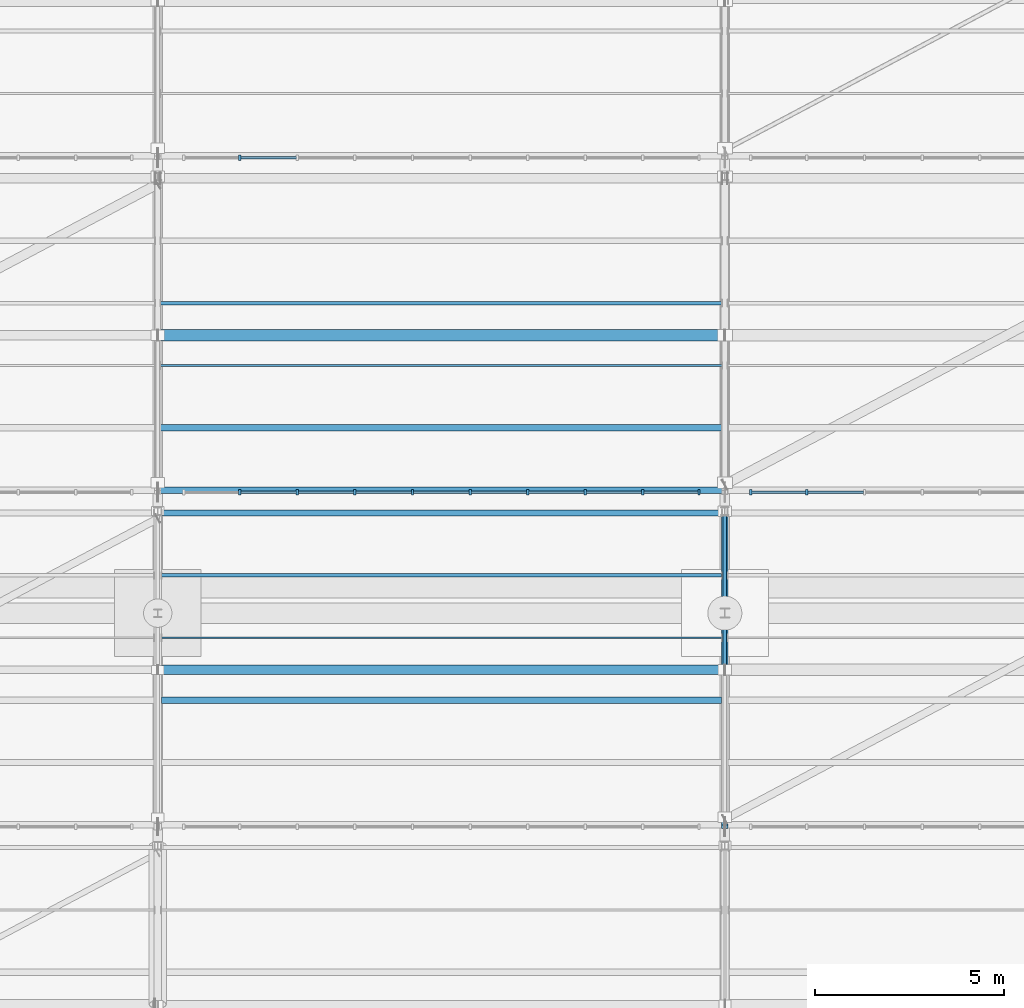
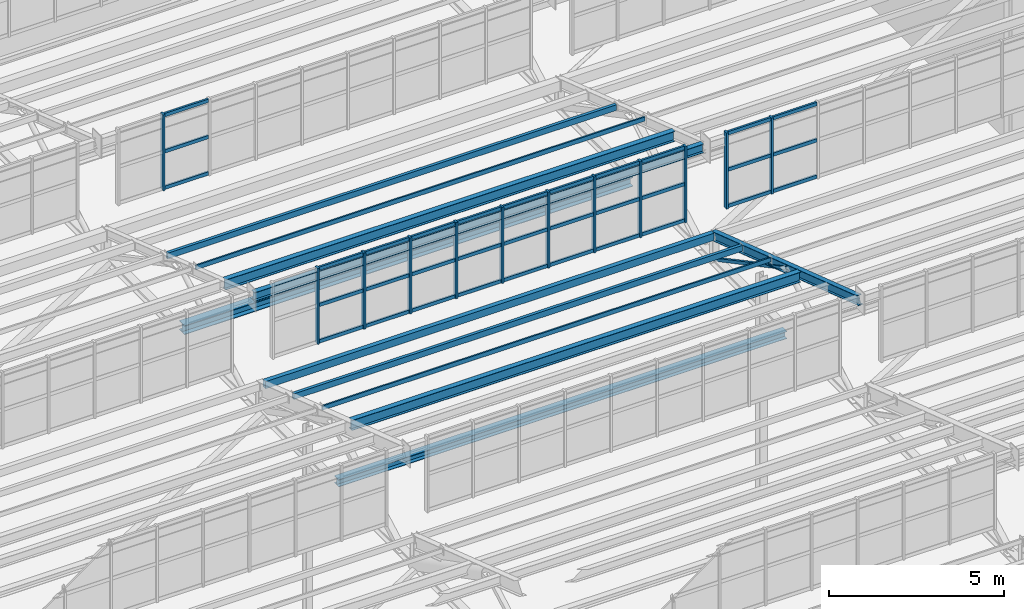
# One storey, part 72 of 285: 48 members, 9 beams, 3 elements without a shape of their own.
"""IFC4 building model written with IfcOpenShell, lengths in metres."""

from ifc_helpers import new_model, si_unit, direction, frame, origin, origin_2d, place, context, subcontext, project, spatial, rectangle, hollow_rectangle, i_section, extrude, material, material_profile, profile_set, type_object, element, aggregate, save


model = new_model("IFC4")

# Units and contexts
model_context = context("Model", 3, precision=1e-05, world=origin(), true_north=direction((0.0, 1.0)))
body_context = subcontext(model_context, "Body", "Model", "MODEL_VIEW")
ifc_project = project(units=[si_unit("LENGTHUNIT", "METRE"), si_unit("AREAUNIT", "SQUARE_METRE"), si_unit("VOLUMEUNIT", "CUBIC_METRE"), si_unit("PLANEANGLEUNIT", "RADIAN"), si_unit("MASSUNIT", "GRAM", prefix="KILO")], contexts=[model_context])

# Site, building, storey
site_placement = place(None, origin())
site = spatial("IfcSite", under=ifc_project, at=site_placement, CompositionType="ELEMENT")
building_placement = place(site_placement, origin())
building = spatial("IfcBuilding", under=site, at=building_placement, Name="Solanera Park Tramway Depot", CompositionType="ELEMENT")
storey_placement = place(building_placement, origin())
storey = spatial("IfcBuildingStorey", under=building, at=storey_placement, Name="L00", CompositionType="ELEMENT", Elevation=0.0)

# Curtain wall, members
ifc_material_1 = material(Name="Bronze-anodised thermally broken aluminium curtain wall", Category="aluminium")
curtain_wall_type = type_object("IfcCurtainWallType", Name="Sawtooth Clerestory Monitor Curtain Wall", PredefinedType="NOTDEFINED", material=ifc_material_1)
curtain_wall_1_placement = place(storey_placement, origin())
curtain_wall_1 = element("IfcCurtainWall", 1, at=curtain_wall_1_placement, inside=storey, type_object=curtain_wall_type, Name="L00 Sawtooth Clerestory Monitor Curtain Wall #053", PredefinedType="NOTDEFINED")
ifc_material_2 = material(Name="Bronze-anodised structural aluminium 6063-T6", Category="aluminium")
ifc_material_profile_1 = material_profile(ifc_material_2, rectangle(XDim=0.06494140625, YDim=0.14990234375, at=origin_2d()), Name="Curtain Wall Mullion 65x150")
ifc_profile_set_1 = profile_set([ifc_material_profile_1], Name="Bronze-anodised structural aluminium 6063-T6")
member_type_1 = type_object("IfcMemberType", Name="Curtain Wall Mullion 65x150", PredefinedType="MULLION", material=ifc_profile_set_1)
member_1_placement = place(storey_placement, frame((32.172119140625, 117.699951171875, 7.75), z_axis=(0.0, 0.0, 1.0), x_axis=(1.0, 0.0, 0.0)))
member_1 = element("IfcMember", 2, at=member_1_placement, type_object=member_type_1, Name="CW-L00-053 Mullion 2", PredefinedType="MULLION", context=body_context, shape_type="SweptSolid", body=[
    extrude(rectangle(XDim=0.06494140625, YDim=0.14990234375, at=origin_2d()), origin(), (0.0, 0.0, 1.0), 2.6611328125),
])
member_2_placement = place(storey_placement, frame((33.6943359375, 117.699951171875, 7.75), z_axis=(0.0, 0.0, 1.0), x_axis=(1.0, 0.0, 0.0)))
member_2 = element("IfcMember", 3, at=member_2_placement, type_object=member_type_1, Name="CW-L00-053 Mullion 3", PredefinedType="MULLION", context=body_context, shape_type="SweptSolid", body=[
    extrude(rectangle(XDim=0.06494140625, YDim=0.14990234375, at=origin_2d()), origin(), (0.0, 0.0, 1.0), 2.6611328125),
])
member_3_placement = place(storey_placement, frame((35.216796875, 117.699951171875, 7.75), z_axis=(0.0, 0.0, 1.0), x_axis=(1.0, 0.0, 0.0)))
member_3 = element("IfcMember", 4, at=member_3_placement, type_object=member_type_1, Name="CW-L00-053 Mullion 4", PredefinedType="MULLION", context=body_context, shape_type="SweptSolid", body=[
    extrude(rectangle(XDim=0.06494140625, YDim=0.14990234375, at=origin_2d()), origin(), (0.0, 0.0, 1.0), 2.6611328125),
])
member_4_placement = place(storey_placement, frame((36.739013671875, 117.699951171875, 7.75), z_axis=(0.0, 0.0, 1.0), x_axis=(1.0, 0.0, 0.0)))
member_4 = element("IfcMember", 5, at=member_4_placement, type_object=member_type_1, Name="CW-L00-053 Mullion 5", PredefinedType="MULLION", context=body_context, shape_type="SweptSolid", body=[
    extrude(rectangle(XDim=0.06494140625, YDim=0.14990234375, at=origin_2d()), origin(), (0.0, 0.0, 1.0), 2.6611328125),
])
member_5_placement = place(storey_placement, frame((38.260986328125, 117.699951171875, 7.75), z_axis=(0.0, 0.0, 1.0), x_axis=(1.0, 0.0, 0.0)))
member_5 = element("IfcMember", 6, at=member_5_placement, type_object=member_type_1, Name="CW-L00-053 Mullion 6", PredefinedType="MULLION", context=body_context, shape_type="SweptSolid", body=[
    extrude(rectangle(XDim=0.06494140625, YDim=0.14990234375, at=origin_2d()), origin(), (0.0, 0.0, 1.0), 2.6611328125),
])
member_6_placement = place(storey_placement, frame((39.783203125, 117.699951171875, 7.75), z_axis=(0.0, 0.0, 1.0), x_axis=(1.0, 0.0, 0.0)))
member_6 = element("IfcMember", 7, at=member_6_placement, type_object=member_type_1, Name="CW-L00-053 Mullion 7", PredefinedType="MULLION", context=body_context, shape_type="SweptSolid", body=[
    extrude(rectangle(XDim=0.06494140625, YDim=0.14990234375, at=origin_2d()), origin(), (0.0, 0.0, 1.0), 2.6611328125),
])
member_7_placement = place(storey_placement, frame((41.3056640625, 117.699951171875, 7.75), z_axis=(0.0, 0.0, 1.0), x_axis=(1.0, 0.0, 0.0)))
member_7 = element("IfcMember", 8, at=member_7_placement, type_object=member_type_1, Name="CW-L00-053 Mullion 8", PredefinedType="MULLION", context=body_context, shape_type="SweptSolid", body=[
    extrude(rectangle(XDim=0.06494140625, YDim=0.14990234375, at=origin_2d()), origin(), (0.0, 0.0, 1.0), 2.6611328125),
])
member_8_placement = place(storey_placement, frame((42.827880859375, 117.699951171875, 7.75), z_axis=(0.0, 0.0, 1.0), x_axis=(1.0, 0.0, 0.0)))
member_8 = element("IfcMember", 9, at=member_8_placement, type_object=member_type_1, Name="CW-L00-053 Mullion 9", PredefinedType="MULLION", context=body_context, shape_type="SweptSolid", body=[
    extrude(rectangle(XDim=0.06494140625, YDim=0.14990234375, at=origin_2d()), origin(), (0.0, 0.0, 1.0), 2.6611328125),
])
member_9_placement = place(storey_placement, frame((44.3173828125, 117.699951171875, 7.75), z_axis=(0.0, 0.0, 1.0), x_axis=(1.0, 0.0, 0.0)))
member_9 = element("IfcMember", 10, at=member_9_placement, type_object=member_type_1, Name="CW-L00-053 Mullion 10", PredefinedType="MULLION", context=body_context, shape_type="SweptSolid", body=[
    extrude(rectangle(XDim=0.06494140625, YDim=0.14990234375, at=origin_2d()), origin(), (0.0, 0.0, 1.0), 2.6611328125),
])

curtain_wall_2_placement = place(storey_placement, origin())
curtain_wall_2 = element("IfcCurtainWall", 11, at=curtain_wall_2_placement, inside=storey, type_object=curtain_wall_type, Name="L00 Sawtooth Clerestory Monitor Curtain Wall #054", PredefinedType="NOTDEFINED")
member_10_placement = place(storey_placement, frame((45.6826171875, 117.699951171875, 7.75), z_axis=(0.0, 0.0, 1.0), x_axis=(1.0, 0.0, 0.0)))
member_10 = element("IfcMember", 12, at=member_10_placement, type_object=member_type_1, Name="CW-L00-054 Mullion 1", PredefinedType="MULLION", context=body_context, shape_type="SweptSolid", body=[
    extrude(rectangle(XDim=0.06494140625, YDim=0.14990234375, at=origin_2d()), origin(), (0.0, 0.0, 1.0), 2.6611328125),
])
member_11_placement = place(storey_placement, frame((47.172119140625, 117.699951171875, 7.75), z_axis=(0.0, 0.0, 1.0), x_axis=(1.0, 0.0, 0.0)))
member_11 = element("IfcMember", 13, at=member_11_placement, type_object=member_type_1, Name="CW-L00-054 Mullion 2", PredefinedType="MULLION", context=body_context, shape_type="SweptSolid", body=[
    extrude(rectangle(XDim=0.06494140625, YDim=0.14990234375, at=origin_2d()), origin(), (0.0, 0.0, 1.0), 2.6611328125),
])

# Curtain wall, member
curtain_wall_3_placement = place(storey_placement, origin())
curtain_wall_3 = element("IfcCurtainWall", 14, at=curtain_wall_3_placement, inside=storey, type_object=curtain_wall_type, Name="L00 Sawtooth Clerestory Monitor Curtain Wall #061", PredefinedType="NOTDEFINED")
member_12_placement = place(storey_placement, frame((32.172119140625, 126.550048828125, 7.75), z_axis=(0.0, 0.0, 1.0), x_axis=(1.0, 0.0, 0.0)))
member_12 = element("IfcMember", 15, at=member_12_placement, type_object=member_type_1, Name="CW-L00-061 Mullion 2", PredefinedType="MULLION", context=body_context, shape_type="SweptSolid", body=[
    extrude(rectangle(XDim=0.06494140625, YDim=0.14990234375, at=origin_2d()), origin(), (0.0, 0.0, 1.0), 2.6611328125),
])

# Member
ifc_material_3 = material(Name="Bronze-anodised structural aluminium 6063-T6", Category="aluminium")
ifc_material_profile_2 = material_profile(ifc_material_3, rectangle(XDim=0.06494140625, YDim=0.1201171875, at=origin_2d()), Name="Curtain Wall Transom 65x120")
ifc_profile_set_2 = profile_set([ifc_material_profile_2], Name="Bronze-anodised structural aluminium 6063-T6")
member_type_2 = type_object("IfcMemberType", Name="Curtain Wall Transom 65x120", PredefinedType="USERDEFINED", material=ifc_profile_set_2)
member_13_placement = place(storey_placement, frame((32.2001953125, 117.699951171875, 7.81005859375), z_axis=(1.0, 0.0, 0.0), x_axis=(0.0, 1.0, 0.0)))
member_13 = element("IfcMember", 16, at=member_13_placement, type_object=member_type_2, Name="CW-L00-053 Transom R1.C2", ObjectType="TRANSOM", PredefinedType="USERDEFINED", context=body_context, shape_type="SweptSolid", body=[
    extrude(rectangle(XDim=0.06494140625, YDim=0.1201171875, at=origin_2d()), origin(), (0.0, 0.0, 1.0), 1.46630859375),
])

member_14_placement = place(storey_placement, frame((33.722412109375, 117.699951171875, 7.81005859375), z_axis=(1.0, 0.0, 0.0), x_axis=(0.0, 1.0, 0.0)))
member_14 = element("IfcMember", 17, at=member_14_placement, type_object=member_type_2, Name="CW-L00-053 Transom R1.C3", ObjectType="TRANSOM", PredefinedType="USERDEFINED", context=body_context, shape_type="SweptSolid", body=[
    extrude(rectangle(XDim=0.06494140625, YDim=0.1201171875, at=origin_2d()), origin(), (0.0, 0.0, 1.0), 1.46630859375),
])

member_15_placement = place(storey_placement, frame((35.24462890625, 117.699951171875, 7.81005859375), z_axis=(1.0, 0.0, 0.0), x_axis=(0.0, 1.0, 0.0)))
member_15 = element("IfcMember", 18, at=member_15_placement, type_object=member_type_2, Name="CW-L00-053 Transom R1.C4", ObjectType="TRANSOM", PredefinedType="USERDEFINED", context=body_context, shape_type="SweptSolid", body=[
    extrude(rectangle(XDim=0.06494140625, YDim=0.1201171875, at=origin_2d()), origin(), (0.0, 0.0, 1.0), 1.46630859375),
])

member_16_placement = place(storey_placement, frame((36.766845703125, 117.699951171875, 7.81005859375), z_axis=(1.0, 0.0, 0.0), x_axis=(0.0, 1.0, 0.0)))
member_16 = element("IfcMember", 19, at=member_16_placement, type_object=member_type_2, Name="CW-L00-053 Transom R1.C5", ObjectType="TRANSOM", PredefinedType="USERDEFINED", context=body_context, shape_type="SweptSolid", body=[
    extrude(rectangle(XDim=0.06494140625, YDim=0.1201171875, at=origin_2d()), origin(), (0.0, 0.0, 1.0), 1.46630859375),
])

member_17_placement = place(storey_placement, frame((38.2890625, 117.699951171875, 7.81005859375), z_axis=(1.0, 0.0, 0.0), x_axis=(0.0, 1.0, 0.0)))
member_17 = element("IfcMember", 20, at=member_17_placement, type_object=member_type_2, Name="CW-L00-053 Transom R1.C6", ObjectType="TRANSOM", PredefinedType="USERDEFINED", context=body_context, shape_type="SweptSolid", body=[
    extrude(rectangle(XDim=0.06494140625, YDim=0.1201171875, at=origin_2d()), origin(), (0.0, 0.0, 1.0), 1.46630859375),
])

member_18_placement = place(storey_placement, frame((39.811279296875, 117.699951171875, 7.81005859375), z_axis=(1.0, 0.0, 0.0), x_axis=(0.0, 1.0, 0.0)))
member_18 = element("IfcMember", 21, at=member_18_placement, type_object=member_type_2, Name="CW-L00-053 Transom R1.C7", ObjectType="TRANSOM", PredefinedType="USERDEFINED", context=body_context, shape_type="SweptSolid", body=[
    extrude(rectangle(XDim=0.06494140625, YDim=0.1201171875, at=origin_2d()), origin(), (0.0, 0.0, 1.0), 1.46630859375),
])

member_19_placement = place(storey_placement, frame((41.33349609375, 117.699951171875, 7.81005859375), z_axis=(1.0, 0.0, 0.0), x_axis=(0.0, 1.0, 0.0)))
member_19 = element("IfcMember", 22, at=member_19_placement, type_object=member_type_2, Name="CW-L00-053 Transom R1.C8", ObjectType="TRANSOM", PredefinedType="USERDEFINED", context=body_context, shape_type="SweptSolid", body=[
    extrude(rectangle(XDim=0.06494140625, YDim=0.1201171875, at=origin_2d()), origin(), (0.0, 0.0, 1.0), 1.46630859375),
])

member_20_placement = place(storey_placement, frame((42.855712890625, 117.699951171875, 7.81005859375), z_axis=(1.0, 0.0, 0.0), x_axis=(0.0, 1.0, 0.0)))
member_20 = element("IfcMember", 23, at=member_20_placement, type_object=member_type_2, Name="CW-L00-053 Transom R1.C9", ObjectType="TRANSOM", PredefinedType="USERDEFINED", context=body_context, shape_type="SweptSolid", body=[
    extrude(rectangle(XDim=0.06494140625, YDim=0.1201171875, at=origin_2d()), origin(), (0.0, 0.0, 1.0), 1.433837890625),
])

member_21_placement = place(storey_placement, frame((32.2001953125, 117.699951171875, 9.08056640625), z_axis=(1.0, 0.0, 0.0), x_axis=(0.0, 1.0, 0.0)))
member_21 = element("IfcMember", 24, at=member_21_placement, type_object=member_type_2, Name="CW-L00-053 Transom R2.C2", ObjectType="TRANSOM", PredefinedType="USERDEFINED", context=body_context, shape_type="SweptSolid", body=[
    extrude(rectangle(XDim=0.06494140625, YDim=0.1201171875, at=origin_2d()), origin(), (0.0, 0.0, 1.0), 1.46630859375),
])

member_22_placement = place(storey_placement, frame((33.722412109375, 117.699951171875, 9.08056640625), z_axis=(1.0, 0.0, 0.0), x_axis=(0.0, 1.0, 0.0)))
member_22 = element("IfcMember", 25, at=member_22_placement, type_object=member_type_2, Name="CW-L00-053 Transom R2.C3", ObjectType="TRANSOM", PredefinedType="USERDEFINED", context=body_context, shape_type="SweptSolid", body=[
    extrude(rectangle(XDim=0.06494140625, YDim=0.1201171875, at=origin_2d()), origin(), (0.0, 0.0, 1.0), 1.46630859375),
])

member_23_placement = place(storey_placement, frame((35.24462890625, 117.699951171875, 9.08056640625), z_axis=(1.0, 0.0, 0.0), x_axis=(0.0, 1.0, 0.0)))
member_23 = element("IfcMember", 26, at=member_23_placement, type_object=member_type_2, Name="CW-L00-053 Transom R2.C4", ObjectType="TRANSOM", PredefinedType="USERDEFINED", context=body_context, shape_type="SweptSolid", body=[
    extrude(rectangle(XDim=0.06494140625, YDim=0.1201171875, at=origin_2d()), origin(), (0.0, 0.0, 1.0), 1.46630859375),
])

member_24_placement = place(storey_placement, frame((36.766845703125, 117.699951171875, 9.08056640625), z_axis=(1.0, 0.0, 0.0), x_axis=(0.0, 1.0, 0.0)))
member_24 = element("IfcMember", 27, at=member_24_placement, type_object=member_type_2, Name="CW-L00-053 Transom R2.C5", ObjectType="TRANSOM", PredefinedType="USERDEFINED", context=body_context, shape_type="SweptSolid", body=[
    extrude(rectangle(XDim=0.06494140625, YDim=0.1201171875, at=origin_2d()), origin(), (0.0, 0.0, 1.0), 1.46630859375),
])

member_25_placement = place(storey_placement, frame((38.2890625, 117.699951171875, 9.08056640625), z_axis=(1.0, 0.0, 0.0), x_axis=(0.0, 1.0, 0.0)))
member_25 = element("IfcMember", 28, at=member_25_placement, type_object=member_type_2, Name="CW-L00-053 Transom R2.C6", ObjectType="TRANSOM", PredefinedType="USERDEFINED", context=body_context, shape_type="SweptSolid", body=[
    extrude(rectangle(XDim=0.06494140625, YDim=0.1201171875, at=origin_2d()), origin(), (0.0, 0.0, 1.0), 1.46630859375),
])

member_26_placement = place(storey_placement, frame((39.811279296875, 117.699951171875, 9.08056640625), z_axis=(1.0, 0.0, 0.0), x_axis=(0.0, 1.0, 0.0)))
member_26 = element("IfcMember", 29, at=member_26_placement, type_object=member_type_2, Name="CW-L00-053 Transom R2.C7", ObjectType="TRANSOM", PredefinedType="USERDEFINED", context=body_context, shape_type="SweptSolid", body=[
    extrude(rectangle(XDim=0.06494140625, YDim=0.1201171875, at=origin_2d()), origin(), (0.0, 0.0, 1.0), 1.46630859375),
])

member_27_placement = place(storey_placement, frame((41.33349609375, 117.699951171875, 9.08056640625), z_axis=(1.0, 0.0, 0.0), x_axis=(0.0, 1.0, 0.0)))
member_27 = element("IfcMember", 30, at=member_27_placement, type_object=member_type_2, Name="CW-L00-053 Transom R2.C8", ObjectType="TRANSOM", PredefinedType="USERDEFINED", context=body_context, shape_type="SweptSolid", body=[
    extrude(rectangle(XDim=0.06494140625, YDim=0.1201171875, at=origin_2d()), origin(), (0.0, 0.0, 1.0), 1.46630859375),
])

member_28_placement = place(storey_placement, frame((42.855712890625, 117.699951171875, 9.08056640625), z_axis=(1.0, 0.0, 0.0), x_axis=(0.0, 1.0, 0.0)))
member_28 = element("IfcMember", 31, at=member_28_placement, type_object=member_type_2, Name="CW-L00-053 Transom R2.C9", ObjectType="TRANSOM", PredefinedType="USERDEFINED", context=body_context, shape_type="SweptSolid", body=[
    extrude(rectangle(XDim=0.06494140625, YDim=0.1201171875, at=origin_2d()), origin(), (0.0, 0.0, 1.0), 1.433837890625),
])

member_29_placement = place(storey_placement, frame((32.2001953125, 117.699951171875, 10.351318359375), z_axis=(1.0, 0.0, 0.0), x_axis=(0.0, 1.0, 0.0)))
member_29 = element("IfcMember", 32, at=member_29_placement, type_object=member_type_2, Name="CW-L00-053 Transom R3.C2", ObjectType="TRANSOM", PredefinedType="USERDEFINED", context=body_context, shape_type="SweptSolid", body=[
    extrude(rectangle(XDim=0.06494140625, YDim=0.1201171875, at=origin_2d()), origin(), (0.0, 0.0, 1.0), 1.46630859375),
])

member_30_placement = place(storey_placement, frame((33.722412109375, 117.699951171875, 10.351318359375), z_axis=(1.0, 0.0, 0.0), x_axis=(0.0, 1.0, 0.0)))
member_30 = element("IfcMember", 33, at=member_30_placement, type_object=member_type_2, Name="CW-L00-053 Transom R3.C3", ObjectType="TRANSOM", PredefinedType="USERDEFINED", context=body_context, shape_type="SweptSolid", body=[
    extrude(rectangle(XDim=0.06494140625, YDim=0.1201171875, at=origin_2d()), origin(), (0.0, 0.0, 1.0), 1.46630859375),
])

member_31_placement = place(storey_placement, frame((35.24462890625, 117.699951171875, 10.351318359375), z_axis=(1.0, 0.0, 0.0), x_axis=(0.0, 1.0, 0.0)))
member_31 = element("IfcMember", 34, at=member_31_placement, type_object=member_type_2, Name="CW-L00-053 Transom R3.C4", ObjectType="TRANSOM", PredefinedType="USERDEFINED", context=body_context, shape_type="SweptSolid", body=[
    extrude(rectangle(XDim=0.06494140625, YDim=0.1201171875, at=origin_2d()), origin(), (0.0, 0.0, 1.0), 1.46630859375),
])

member_32_placement = place(storey_placement, frame((36.766845703125, 117.699951171875, 10.351318359375), z_axis=(1.0, 0.0, 0.0), x_axis=(0.0, 1.0, 0.0)))
member_32 = element("IfcMember", 35, at=member_32_placement, type_object=member_type_2, Name="CW-L00-053 Transom R3.C5", ObjectType="TRANSOM", PredefinedType="USERDEFINED", context=body_context, shape_type="SweptSolid", body=[
    extrude(rectangle(XDim=0.06494140625, YDim=0.1201171875, at=origin_2d()), origin(), (0.0, 0.0, 1.0), 1.46630859375),
])

member_33_placement = place(storey_placement, frame((38.2890625, 117.699951171875, 10.351318359375), z_axis=(1.0, 0.0, 0.0), x_axis=(0.0, 1.0, 0.0)))
member_33 = element("IfcMember", 36, at=member_33_placement, type_object=member_type_2, Name="CW-L00-053 Transom R3.C6", ObjectType="TRANSOM", PredefinedType="USERDEFINED", context=body_context, shape_type="SweptSolid", body=[
    extrude(rectangle(XDim=0.06494140625, YDim=0.1201171875, at=origin_2d()), origin(), (0.0, 0.0, 1.0), 1.46630859375),
])

member_34_placement = place(storey_placement, frame((39.811279296875, 117.699951171875, 10.351318359375), z_axis=(1.0, 0.0, 0.0), x_axis=(0.0, 1.0, 0.0)))
member_34 = element("IfcMember", 37, at=member_34_placement, type_object=member_type_2, Name="CW-L00-053 Transom R3.C7", ObjectType="TRANSOM", PredefinedType="USERDEFINED", context=body_context, shape_type="SweptSolid", body=[
    extrude(rectangle(XDim=0.06494140625, YDim=0.1201171875, at=origin_2d()), origin(), (0.0, 0.0, 1.0), 1.46630859375),
])

member_35_placement = place(storey_placement, frame((41.33349609375, 117.699951171875, 10.351318359375), z_axis=(1.0, 0.0, 0.0), x_axis=(0.0, 1.0, 0.0)))
member_35 = element("IfcMember", 38, at=member_35_placement, type_object=member_type_2, Name="CW-L00-053 Transom R3.C8", ObjectType="TRANSOM", PredefinedType="USERDEFINED", context=body_context, shape_type="SweptSolid", body=[
    extrude(rectangle(XDim=0.06494140625, YDim=0.1201171875, at=origin_2d()), origin(), (0.0, 0.0, 1.0), 1.46630859375),
])

member_36_placement = place(storey_placement, frame((42.855712890625, 117.699951171875, 10.351318359375), z_axis=(1.0, 0.0, 0.0), x_axis=(0.0, 1.0, 0.0)))
member_36 = element("IfcMember", 39, at=member_36_placement, type_object=member_type_2, Name="CW-L00-053 Transom R3.C9", ObjectType="TRANSOM", PredefinedType="USERDEFINED", context=body_context, shape_type="SweptSolid", body=[
    extrude(rectangle(XDim=0.06494140625, YDim=0.1201171875, at=origin_2d()), origin(), (0.0, 0.0, 1.0), 1.433837890625),
])

aggregate(curtain_wall_1, [member_1, member_2, member_3, member_4, member_5, member_6, member_7, member_8, member_9, member_13, member_14, member_15, member_16, member_17, member_18, member_19, member_20, member_21, member_22, member_23, member_24, member_25, member_26, member_27, member_28, member_29, member_30, member_31, member_32, member_33, member_34, member_35, member_36])

member_37_placement = place(storey_placement, frame((45.71044921875, 117.699951171875, 7.81005859375), z_axis=(1.0, 0.0, 0.0), x_axis=(0.0, 1.0, 0.0)))
member_37 = element("IfcMember", 40, at=member_37_placement, type_object=member_type_2, Name="CW-L00-054 Transom R1.C1", ObjectType="TRANSOM", PredefinedType="USERDEFINED", context=body_context, shape_type="SweptSolid", body=[
    extrude(rectangle(XDim=0.06494140625, YDim=0.1201171875, at=origin_2d()), origin(), (0.0, 0.0, 1.0), 1.433837890625),
])

member_38_placement = place(storey_placement, frame((47.2001953125, 117.699951171875, 7.81005859375), z_axis=(1.0, 0.0, 0.0), x_axis=(0.0, 1.0, 0.0)))
member_38 = element("IfcMember", 41, at=member_38_placement, type_object=member_type_2, Name="CW-L00-054 Transom R1.C2", ObjectType="TRANSOM", PredefinedType="USERDEFINED", context=body_context, shape_type="SweptSolid", body=[
    extrude(rectangle(XDim=0.06494140625, YDim=0.1201171875, at=origin_2d()), origin(), (0.0, 0.0, 1.0), 1.46630859375),
])

member_39_placement = place(storey_placement, frame((45.71044921875, 117.699951171875, 9.08056640625), z_axis=(1.0, 0.0, 0.0), x_axis=(0.0, 1.0, 0.0)))
member_39 = element("IfcMember", 42, at=member_39_placement, type_object=member_type_2, Name="CW-L00-054 Transom R2.C1", ObjectType="TRANSOM", PredefinedType="USERDEFINED", context=body_context, shape_type="SweptSolid", body=[
    extrude(rectangle(XDim=0.06494140625, YDim=0.1201171875, at=origin_2d()), origin(), (0.0, 0.0, 1.0), 1.433837890625),
])

member_40_placement = place(storey_placement, frame((47.2001953125, 117.699951171875, 9.08056640625), z_axis=(1.0, 0.0, 0.0), x_axis=(0.0, 1.0, 0.0)))
member_40 = element("IfcMember", 43, at=member_40_placement, type_object=member_type_2, Name="CW-L00-054 Transom R2.C2", ObjectType="TRANSOM", PredefinedType="USERDEFINED", context=body_context, shape_type="SweptSolid", body=[
    extrude(rectangle(XDim=0.06494140625, YDim=0.1201171875, at=origin_2d()), origin(), (0.0, 0.0, 1.0), 1.46630859375),
])

member_41_placement = place(storey_placement, frame((45.71044921875, 117.699951171875, 10.351318359375), z_axis=(1.0, 0.0, 0.0), x_axis=(0.0, 1.0, 0.0)))
member_41 = element("IfcMember", 44, at=member_41_placement, type_object=member_type_2, Name="CW-L00-054 Transom R3.C1", ObjectType="TRANSOM", PredefinedType="USERDEFINED", context=body_context, shape_type="SweptSolid", body=[
    extrude(rectangle(XDim=0.06494140625, YDim=0.1201171875, at=origin_2d()), origin(), (0.0, 0.0, 1.0), 1.433837890625),
])

member_42_placement = place(storey_placement, frame((47.2001953125, 117.699951171875, 10.351318359375), z_axis=(1.0, 0.0, 0.0), x_axis=(0.0, 1.0, 0.0)))
member_42 = element("IfcMember", 45, at=member_42_placement, type_object=member_type_2, Name="CW-L00-054 Transom R3.C2", ObjectType="TRANSOM", PredefinedType="USERDEFINED", context=body_context, shape_type="SweptSolid", body=[
    extrude(rectangle(XDim=0.06494140625, YDim=0.1201171875, at=origin_2d()), origin(), (0.0, 0.0, 1.0), 1.46630859375),
])

aggregate(curtain_wall_2, [member_10, member_11, member_37, member_38, member_39, member_40, member_41, member_42])

member_43_placement = place(storey_placement, frame((32.2001953125, 126.550048828125, 7.81005859375), z_axis=(1.0, 0.0, 0.0), x_axis=(0.0, 1.0, 0.0)))
member_43 = element("IfcMember", 46, at=member_43_placement, type_object=member_type_2, Name="CW-L00-061 Transom R1.C2", ObjectType="TRANSOM", PredefinedType="USERDEFINED", context=body_context, shape_type="SweptSolid", body=[
    extrude(rectangle(XDim=0.06494140625, YDim=0.1201171875, at=origin_2d()), origin(), (0.0, 0.0, 1.0), 1.46630859375),
])

member_44_placement = place(storey_placement, frame((32.2001953125, 126.550048828125, 9.08056640625), z_axis=(1.0, 0.0, 0.0), x_axis=(0.0, 1.0, 0.0)))
member_44 = element("IfcMember", 47, at=member_44_placement, type_object=member_type_2, Name="CW-L00-061 Transom R2.C2", ObjectType="TRANSOM", PredefinedType="USERDEFINED", context=body_context, shape_type="SweptSolid", body=[
    extrude(rectangle(XDim=0.06494140625, YDim=0.1201171875, at=origin_2d()), origin(), (0.0, 0.0, 1.0), 1.46630859375),
])

member_45_placement = place(storey_placement, frame((32.2001953125, 126.550048828125, 10.351318359375), z_axis=(1.0, 0.0, 0.0), x_axis=(0.0, 1.0, 0.0)))
member_45 = element("IfcMember", 48, at=member_45_placement, type_object=member_type_2, Name="CW-L00-061 Transom R3.C2", ObjectType="TRANSOM", PredefinedType="USERDEFINED", context=body_context, shape_type="SweptSolid", body=[
    extrude(rectangle(XDim=0.06494140625, YDim=0.1201171875, at=origin_2d()), origin(), (0.0, 0.0, 1.0), 1.46630859375),
])

aggregate(curtain_wall_3, [member_12, member_43, member_44, member_45])

# Members
ifc_material_4 = material(Name="Steel AS/NZS 3679.1 Grade 350", Category="steel")
ifc_material_profile_3 = material_profile(ifc_material_4, i_section(OverallWidth=0.25390625, OverallDepth=0.25390625, WebThickness=0.008544921875, FlangeThickness=0.01416015625, at=origin_2d()), Name="250UC72.9")
ifc_profile_set_3 = profile_set([ifc_material_profile_3], Name="Steel AS/NZS 3679.1 Grade 350")
member_type_3 = type_object("IfcMemberType", Name="Secondary Truss Chord 250UC72.9", PredefinedType="CHORD", material=ifc_profile_set_3)
member_46_placement = place(storey_placement, frame((30.087890625, 113.0, 6.5), z_axis=(1.0, 0.0, 0.0), x_axis=(0.0, 1.0, 0.0)))
element("IfcMember", 49, at=member_46_placement, inside=storey, type_object=member_type_3, Name="Sawtooth Longitudinal Tie Chord 250UC72.9 #0309", PredefinedType="CHORD", context=body_context, shape_type="SweptSolid", body=[
    extrude(i_section(OverallWidth=0.25390625, OverallDepth=0.25390625, WebThickness=0.008544921875, FlangeThickness=0.01416015625, at=origin_2d()), origin(), (0.0, 0.0, 1.0), 14.82421875),
])
ifc_material_5 = material(Name="Steel AS/NZS 3679.1 Grade 350", Category="steel")
ifc_material_profile_4 = material_profile(ifc_material_5, i_section(OverallWidth=0.306884765625, OverallDepth=0.314697265625, WebThickness=0.011962890625, FlangeThickness=0.018798828125, at=origin_2d()), Name="310UC118")
ifc_profile_set_4 = profile_set([ifc_material_profile_4], Name="Steel AS/NZS 3679.1 Grade 350")
member_type_4 = type_object("IfcMemberType", Name="Secondary Truss Chord 310UC118", PredefinedType="CHORD", material=ifc_profile_set_4)
member_47_placement = place(storey_placement, frame((30.087890625, 121.85009765625, 6.5), z_axis=(1.0, 0.0, 0.0), x_axis=(0.0, 1.0, 0.0)))
element("IfcMember", 50, at=member_47_placement, inside=storey, type_object=member_type_4, Name="Sawtooth Longitudinal Tie Chord 310UC118 #0356", PredefinedType="CHORD", context=body_context, shape_type="SweptSolid", body=[
    extrude(i_section(OverallWidth=0.306884765625, OverallDepth=0.314697265625, WebThickness=0.011962890625, FlangeThickness=0.018798828125, at=origin_2d()), origin(), (0.0, 0.0, 1.0), 14.82421875),
])

# Beams
ifc_material_6 = material(Name="Steel AS/NZS 3679.1 Grade 350", Category="steel")
ifc_material_profile_5 = material_profile(ifc_material_6, i_section(OverallWidth=0.166015625, OverallDepth=0.30712890625, WebThickness=0.006591796875, FlangeThickness=0.01171875, at=origin_2d()), Name="310UB46.2")
ifc_profile_set_5 = profile_set([ifc_material_profile_5], Name="Steel AS/NZS 3679.1 Grade 350")
beam_type_1 = type_object("IfcBeamType", Name="Steel Beam 310UB46.2", PredefinedType="BEAM", material=ifc_profile_set_5)
beam_1_placement = place(storey_placement, frame((45.0, 108.85009765625, 10.131103515625), z_axis=(0.0, 0.948327781215, -0.317292324799), x_axis=(-1.0, 0.0, 0.0)))
element("IfcBeam", 51, at=beam_1_placement, inside=storey, type_object=beam_type_1, Name="Sawtooth ROOF TRUSS Top Rafter 310UB46.2 B07-T4", PredefinedType="BEAM", context=body_context, shape_type="SweptSolid", body=[
    extrude(i_section(OverallWidth=0.166015625, OverallDepth=0.30712890625, WebThickness=0.006591796875, FlangeThickness=0.01171875, at=origin_2d()), origin(), (0.0, 0.0, 1.0), 8.804931640625),
])
ifc_material_7 = material(Name="Steel AS/NZS 1163 Grade C350L0", Category="steel")
ifc_material_profile_6 = material_profile(ifc_material_7, hollow_rectangle(XDim=0.050048828125, YDim=0.14990234375, WallThickness=0.0048828125, at=origin_2d()), Name="150x50x5.0 RHS")
ifc_profile_set_6 = profile_set([ifc_material_profile_6], Name="Steel AS/NZS 1163 Grade C350L0")
beam_type_2 = type_object("IfcBeamType", Name="Steel Joist Purlin 150x50x5.0 RHS", PredefinedType="JOIST", material=ifc_profile_set_6)
beam_2_placement = place(storey_placement, frame((30.0966796875, 113.85009765625, 8.550537109375), z_axis=(1.0, 0.0, 0.0), x_axis=(0.0, 1.0, 0.0)))
element("IfcBeam", 52, at=beam_2_placement, inside=storey, type_object=beam_type_2, Name="Sawtooth Roof Purlin 150x50x5.0 RHS B07.4", PredefinedType="JOIST", context=body_context, shape_type="SweptSolid", body=[
    extrude(hollow_rectangle(XDim=0.050048828125, YDim=0.14990234375, WallThickness=0.0048828125, at=origin_2d()), origin(), (0.0, 0.0, 1.0), 14.828369140625),
])
beam_3_placement = place(storey_placement, frame((30.074951171875, 121.050048828125, 9.1025390625), z_axis=(1.0, 0.0, 0.0), x_axis=(0.0, 1.0, 0.0)))
element("IfcBeam", 53, at=beam_3_placement, inside=storey, type_object=beam_type_2, Name="Sawtooth Roof Purlin 150x50x5.0 RHS B08.3", PredefinedType="JOIST", context=body_context, shape_type="SweptSolid", body=[
    extrude(hollow_rectangle(XDim=0.050048828125, YDim=0.14990234375, WallThickness=0.0048828125, at=origin_2d()), origin(), (0.0, 0.0, 1.0), 14.84716796875),
])
ifc_material_8 = material(Name="Steel AS/NZS 1163 Grade C350L0", Category="steel")
ifc_material_profile_7 = material_profile(ifc_material_8, hollow_rectangle(XDim=0.10009765625, YDim=0.199951171875, WallThickness=0.006103515625, at=origin_2d()), Name="200x100x6.0 RHS")
ifc_profile_set_7 = profile_set([ifc_material_profile_7], Name="Steel AS/NZS 1163 Grade C350L0")
beam_type_3 = type_object("IfcBeamType", Name="Steel Joist Purlin 200x100x6.0 RHS", PredefinedType="JOIST", material=ifc_profile_set_7)
beam_4_placement = place(storey_placement, frame((30.0966796875, 115.5, 7.965087890625), z_axis=(1.0, 0.0, 0.0), x_axis=(0.0, 1.0, 0.0)))
element("IfcBeam", 54, at=beam_4_placement, inside=storey, type_object=beam_type_3, Name="Sawtooth Roof Purlin 200x100x6.0 RHS B07.5", PredefinedType="JOIST", context=body_context, shape_type="SweptSolid", body=[
    extrude(hollow_rectangle(XDim=0.10009765625, YDim=0.199951171875, WallThickness=0.006103515625, at=origin_2d()), origin(), (0.0, 0.0, 1.0), 14.828369140625),
])
beam_5_placement = place(storey_placement, frame((30.074951171875, 122.699951171875, 8.51708984375), z_axis=(1.0, 0.0, 0.0), x_axis=(0.0, 1.0, 0.0)))
element("IfcBeam", 55, at=beam_5_placement, inside=storey, type_object=beam_type_3, Name="Sawtooth Roof Purlin 200x100x6.0 RHS B08.4", PredefinedType="JOIST", context=body_context, shape_type="SweptSolid", body=[
    extrude(hollow_rectangle(XDim=0.10009765625, YDim=0.199951171875, WallThickness=0.006103515625, at=origin_2d()), origin(), (0.0, 0.0, 1.0), 14.84716796875),
])
ifc_material_9 = material(Name="Steel AS/NZS 1163 Grade C350L0", Category="steel")
ifc_material_profile_8 = material_profile(ifc_material_9, hollow_rectangle(XDim=0.14990234375, YDim=0.25, WallThickness=0.008056640625, at=origin_2d()), Name="250x150x8.0 RHS")
ifc_profile_set_8 = profile_set([ifc_material_profile_8], Name="Steel AS/NZS 1163 Grade C350L0")
beam_type_4 = type_object("IfcBeamType", Name="Steel Joist Purlin 250x150x8.0 RHS", PredefinedType="JOIST", material=ifc_profile_set_8)
beam_6_placement = place(storey_placement, frame((30.0966796875, 117.14990234375, 7.379638671875), z_axis=(1.0, 0.0, 0.0), x_axis=(0.0, 1.0, 0.0)))
element("IfcBeam", 56, at=beam_6_placement, inside=storey, type_object=beam_type_4, Name="Sawtooth Roof Purlin 250x150x8.0 RHS B07.6", PredefinedType="JOIST", context=body_context, shape_type="SweptSolid", body=[
    extrude(hollow_rectangle(XDim=0.14990234375, YDim=0.25, WallThickness=0.008056640625, at=origin_2d()), origin(), (0.0, 0.0, 1.0), 14.828369140625),
])
ifc_material_10 = material(Name="Steel AS/NZS 3679.1 Grade 350", Category="steel")
ifc_material_profile_9 = material_profile(ifc_material_10, i_section(OverallWidth=0.166015625, OverallDepth=0.30712890625, WebThickness=0.006591796875, FlangeThickness=0.01171875, at=origin_2d()), Name="310UB46.2")
ifc_profile_set_9 = profile_set([ifc_material_profile_9], Name="Steel AS/NZS 3679.1 Grade 350")
beam_type_5 = type_object("IfcBeamType", Name="Steel Joist Purlin 310UB46.2", PredefinedType="JOIST", material=ifc_profile_set_9)
beam_7_placement = place(storey_placement, frame((30.074951171875, 117.75, 10.108642578125), z_axis=(1.0, 0.0, 0.0), x_axis=(0.0, 1.0, 0.0)))
element("IfcBeam", 57, at=beam_7_placement, inside=storey, type_object=beam_type_5, Name="Sawtooth Roof Purlin 310UB46.2 B08.1", PredefinedType="JOIST", context=body_context, shape_type="SweptSolid", body=[
    extrude(i_section(OverallWidth=0.166015625, OverallDepth=0.30712890625, WebThickness=0.006591796875, FlangeThickness=0.01171875, at=origin_2d()), origin(), (0.0, 0.0, 1.0), 14.84716796875),
])
ifc_material_11 = material(Name="Steel AS/NZS 3679.1 Grade 350", Category="steel")
ifc_material_profile_10 = material_profile(ifc_material_11, i_section(OverallWidth=0.17138671875, OverallDepth=0.355712890625, WebThickness=0.00732421875, FlangeThickness=0.011474609375, at=origin_2d()), Name="360UB50.7")
ifc_profile_set_10 = profile_set([ifc_material_profile_10], Name="Steel AS/NZS 3679.1 Grade 350")
beam_type_6 = type_object("IfcBeamType", Name="Steel Joist Purlin 360UB50.7", PredefinedType="JOIST", material=ifc_profile_set_10)
beam_8_placement = place(storey_placement, frame((30.0966796875, 112.199951171875, 8.9794921875), z_axis=(1.0, 0.0, 0.0), x_axis=(0.0, 1.0, 0.0)))
element("IfcBeam", 58, at=beam_8_placement, inside=storey, type_object=beam_type_6, Name="Sawtooth Roof Purlin 360UB50.7 B07.3", PredefinedType="JOIST", context=body_context, shape_type="SweptSolid", body=[
    extrude(i_section(OverallWidth=0.17138671875, OverallDepth=0.355712890625, WebThickness=0.00732421875, FlangeThickness=0.011474609375, at=origin_2d()), origin(), (0.0, 0.0, 1.0), 14.828369140625),
])
beam_9_placement = place(storey_placement, frame((30.074951171875, 119.39990234375, 9.531494140625), z_axis=(1.0, 0.0, 0.0), x_axis=(0.0, 1.0, 0.0)))
element("IfcBeam", 59, at=beam_9_placement, inside=storey, type_object=beam_type_6, Name="Sawtooth Roof Purlin 360UB50.7 B08.2", PredefinedType="JOIST", context=body_context, shape_type="SweptSolid", body=[
    extrude(i_section(OverallWidth=0.17138671875, OverallDepth=0.355712890625, WebThickness=0.00732421875, FlangeThickness=0.011474609375, at=origin_2d()), origin(), (0.0, 0.0, 1.0), 14.84716796875),
])

# Member
ifc_material_12 = material(Name="Steel AS/NZS 1163 Grade C350L0", Category="steel")
ifc_material_profile_11 = material_profile(ifc_material_12, hollow_rectangle(XDim=0.10009765625, YDim=0.10009765625, WallThickness=0.0048828125, at=origin_2d()), Name="100x100x5.0 SHS")
ifc_profile_set_11 = profile_set([ifc_material_profile_11], Name="Steel AS/NZS 1163 Grade C350L0")
member_type_5 = type_object("IfcMemberType", Name="Truss and Frame Brace 100x100x5.0 SHS", PredefinedType="BRACE", material=ifc_profile_set_11)
member_48_placement = place(storey_placement, frame((45.0, 117.199951171875, 6.5), z_axis=(0.0, -0.882117205046, 0.471029974165), x_axis=(1.0, 0.0, 0.0)))
element("IfcMember", 60, at=member_48_placement, inside=storey, type_object=member_type_5, Name="Sawtooth ROOF TRUSS Diagonal 100x100x5.0 SHS #0283", PredefinedType="BRACE", context=body_context, shape_type="SweptSolid", body=[
    extrude(hollow_rectangle(XDim=0.10009765625, YDim=0.10009765625, WallThickness=0.0048828125, at=origin_2d()), origin(), (0.0, 0.0, 1.0), 4.76123046875),
])

save(model, "model.ifc")
